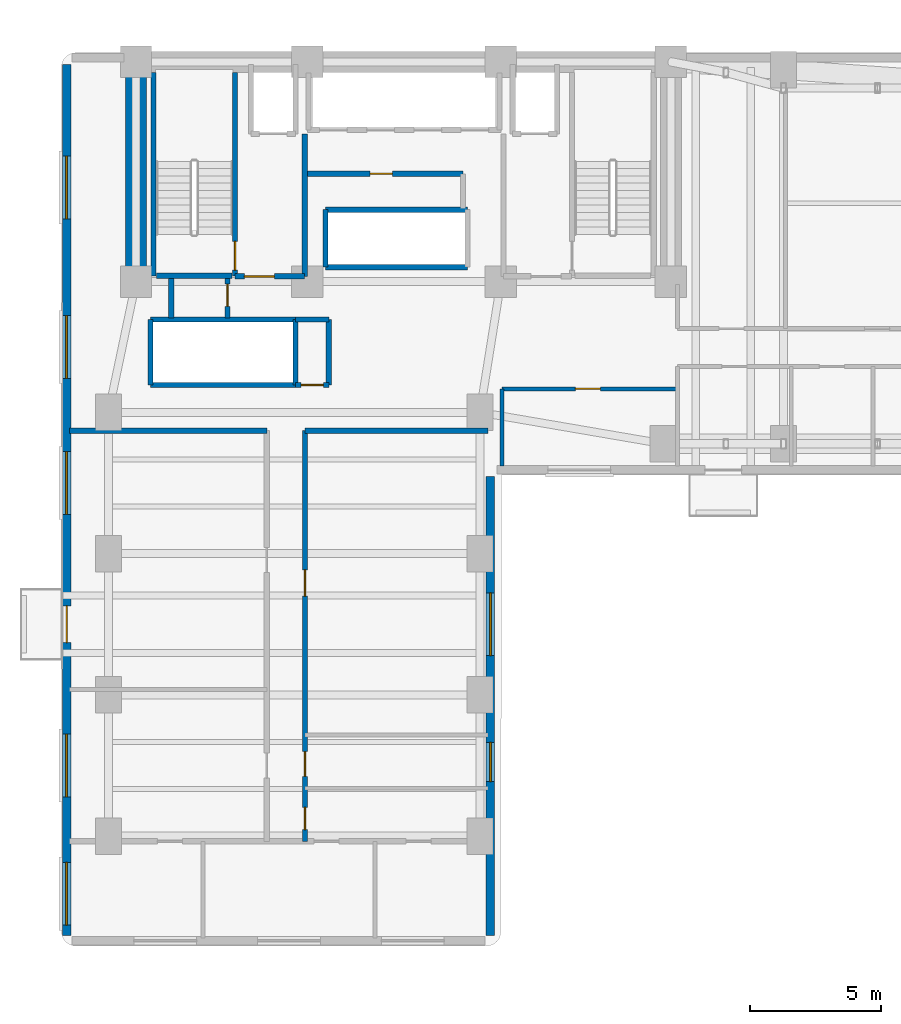
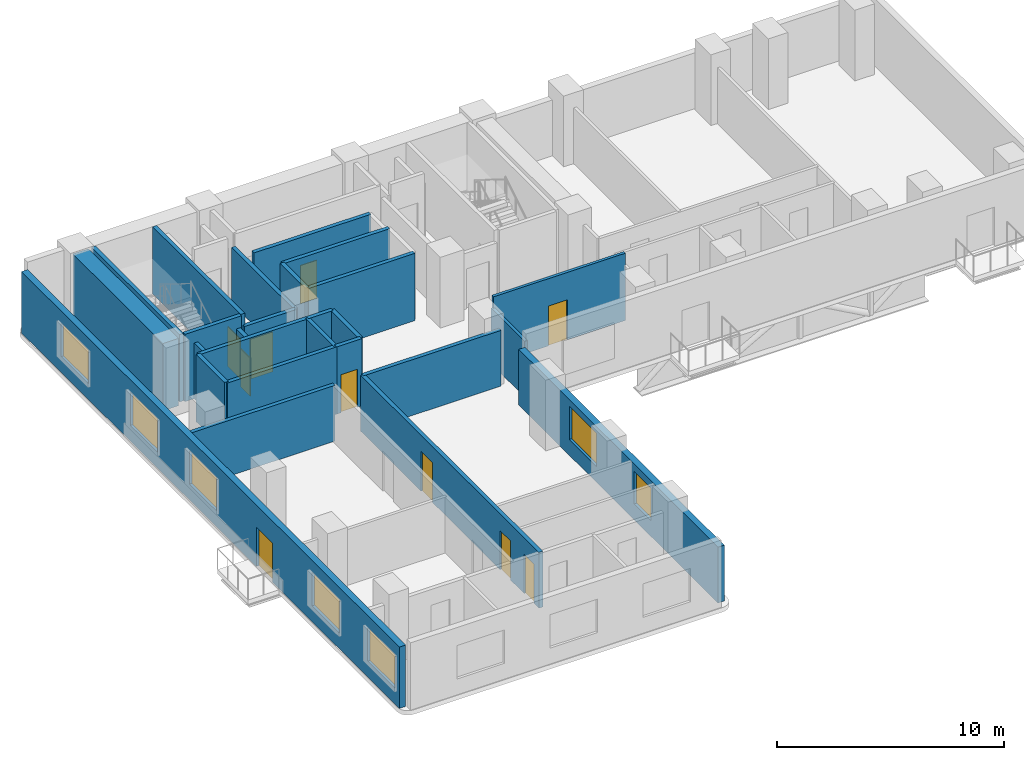
# One storey, part 8 of 15: 26 walls, 10 doors, 7 windows, 17 openings.
"""IFC4 building model written with IfcOpenShell, lengths in metres."""

from ifc_helpers import new_model, si_unit, direction, frame, frame_2d, origin, place, context, subcontext, project, spatial, rectangle, extrude, material, layer, layer_set, type_object, element, fill, save


model = new_model("IFC4")

# Units and contexts
model_context = context("Model", 3, precision=1e-05, world=origin(), true_north=direction((0.0, 1.0)))
body_context = subcontext(model_context, "Body", "Model", "MODEL_VIEW")
ifc_project = project(units=[si_unit("LENGTHUNIT", "METRE"), si_unit("AREAUNIT", "SQUARE_METRE"), si_unit("VOLUMEUNIT", "CUBIC_METRE"), si_unit("PLANEANGLEUNIT", "RADIAN"), si_unit("MASSUNIT", "GRAM", prefix="KILO")], contexts=[model_context])

# Site, building, storey
site_placement = place(None, origin())
site = spatial("IfcSite", under=ifc_project, at=site_placement, CompositionType="ELEMENT")
building_placement = place(site_placement, origin())
building = spatial("IfcBuilding", under=site, at=building_placement, Name="Kuzgunbayir Cultural Tower", CompositionType="ELEMENT")
storey_placement = place(building_placement, frame((0.0, 0.0, 39.800048828125)))
storey = spatial("IfcBuildingStorey", under=building, at=storey_placement, Name="L10", CompositionType="ELEMENT", Elevation=39.800048828125)

# Wall
ifc_material_1 = material(Name="Concrete C60/75", Category="concrete")
ifc_layer_1 = layer(ifc_material_1, 0.800048828125)
ifc_layer_set_1 = layer_set([ifc_layer_1], Name="Concrete C60/75")
wall_type_1 = type_object("IfcWallType", Name="WAL-CORE-800", PredefinedType="SHEAR", material=ifc_layer_set_1)
wall_1_placement = place(storey_placement, frame((6.449951171875, 33.800048828125, 0.0), z_axis=(0.0, 0.0, 1.0), x_axis=(0.0, 1.0, 0.0)))
element("IfcWall", 1, at=wall_1_placement, inside=storey, type_object=wall_type_1, Name="L10 T1 Core West Shear Wall", PredefinedType="SHEAR", context=body_context, shape_type="SweptSolid", body=[
    extrude(rectangle(XDim=7.949951171875, YDim=0.800048828125, at=frame_2d((3.97509765625, 0.0))), origin(), (0.0, 0.0, 1.0), 3.619873046875),
])

# Wall, openings, door, windows
ifc_material_2 = material(Name="Travertine Buff Ashlar", Category="masonry")
ifc_layer_2 = layer(ifc_material_2, 0.320068359375)
ifc_layer_set_2 = layer_set([ifc_layer_2], Name="Travertine Buff Ashlar")
wall_type_2 = type_object("IfcWallType", Name="WAL-EXT-STONE-320", PredefinedType="STANDARD", material=ifc_layer_set_2)
wall_2_placement = place(storey_placement, frame((3.800048828125, 42.10009765625, 0.0), z_axis=(0.0, 0.0, 1.0), x_axis=(0.0, -1.0, 0.0)))
wall_2 = element("IfcWall", 2, at=wall_2_placement, inside=storey, type_object=wall_type_2, Name="L10 Wing A West Limestone Wall", PredefinedType="STANDARD", context=body_context, shape_type="SweptSolid", body=[
    extrude(rectangle(XDim=33.300048828125, YDim=0.320068359375, at=frame_2d((16.64990234375, 0.0))), origin(), (0.0, 0.0, 1.0), 3.300048828125),
])
opening_1_placement = place(wall_2_placement, frame((20.699951171875, 0.0, 0.0)))
opening_1 = element("IfcOpeningElement", 3, at=opening_1_placement, cuts=wall_2, Name="Opening BD-15", PredefinedType="OPENING", context=body_context, shape_type="SweptSolid", body=[
    extrude(rectangle(XDim=1.39990234375, YDim=2.10009765625, at=frame_2d((0.699951171875, 1.050048828125))), frame((0.0, 0.169921875, 0.0), z_axis=(0.0, -1.0, 0.0), x_axis=(1.0, 0.0, 0.0)), (0.0, 0.0, 1.0), 0.340087890625),
])
opening_2_placement = place(wall_2_placement, frame((30.5, 0.0, 0.85009765625)))
opening_2 = element("IfcOpeningElement", 4, at=opening_2_placement, cuts=wall_2, Name="Opening WO-24", PredefinedType="OPENING", context=body_context, shape_type="SweptSolid", body=[
    extrude(rectangle(XDim=2.39990234375, YDim=1.800048828125, at=frame_2d((1.199951171875, 0.89990234375))), frame((0.0, 0.169921875, 0.0), z_axis=(0.0, -1.0, 0.0), x_axis=(1.0, 0.0, 0.0)), (0.0, 0.0, 1.0), 0.340087890625),
])
opening_3_placement = place(wall_2_placement, frame((25.60009765625, 0.0, 0.85009765625)))
opening_3 = element("IfcOpeningElement", 5, at=opening_3_placement, cuts=wall_2, Name="Opening WO-24", PredefinedType="OPENING", context=body_context, shape_type="SweptSolid", body=[
    extrude(rectangle(XDim=2.39990234375, YDim=1.800048828125, at=frame_2d((1.199951171875, 0.89990234375))), frame((0.0, 0.169921875, 0.0), z_axis=(0.0, -1.0, 0.0), x_axis=(1.0, 0.0, 0.0)), (0.0, 0.0, 1.0), 0.340087890625),
])
opening_4_placement = place(wall_2_placement, frame((14.800048828125, 0.0, 0.85009765625)))
opening_4 = element("IfcOpeningElement", 6, at=opening_4_placement, cuts=wall_2, Name="Opening WO-24", PredefinedType="OPENING", context=body_context, shape_type="SweptSolid", body=[
    extrude(rectangle(XDim=2.39990234375, YDim=1.800048828125, at=frame_2d((1.199951171875, 0.89990234375))), frame((0.0, 0.169921875, 0.0), z_axis=(0.0, -1.0, 0.0), x_axis=(1.0, 0.0, 0.0)), (0.0, 0.0, 1.0), 0.340087890625),
])
opening_5_placement = place(wall_2_placement, frame((9.60009765625, 0.0, 0.85009765625)))
opening_5 = element("IfcOpeningElement", 7, at=opening_5_placement, cuts=wall_2, Name="Opening WO-24", PredefinedType="OPENING", context=body_context, shape_type="SweptSolid", body=[
    extrude(rectangle(XDim=2.39990234375, YDim=1.800048828125, at=frame_2d((1.199951171875, 0.89990234375))), frame((0.0, 0.169921875, 0.0), z_axis=(0.0, -1.0, 0.0), x_axis=(1.0, 0.0, 0.0)), (0.0, 0.0, 1.0), 0.340087890625),
])
opening_6_placement = place(wall_2_placement, frame((3.5, 0.0, 0.85009765625)))
opening_6 = element("IfcOpeningElement", 8, at=opening_6_placement, cuts=wall_2, Name="Opening WO-24", PredefinedType="OPENING", context=body_context, shape_type="SweptSolid", body=[
    extrude(rectangle(XDim=2.39990234375, YDim=1.800048828125, at=frame_2d((1.199951171875, 0.89990234375))), frame((0.0, 0.169921875, 0.0), z_axis=(0.0, -1.0, 0.0), x_axis=(1.0, 0.0, 0.0)), (0.0, 0.0, 1.0), 0.340087890625),
])
ifc_material_3 = material(Name="Thermally Broken Glazed Aluminium", Category="aluminium")
door_type_1 = type_object("IfcDoorType", Name="DR-BALCONY-150", OperationType="SLIDING_TO_RIGHT", PredefinedType="DOOR", material=ifc_material_3)
door_1_placement = place(opening_1_placement, origin())
door_1 = element("IfcDoor", 9, at=door_1_placement, inside=storey, type_object=door_type_1, Name="L10 West Balcony Sliding Door BAL-L10-WA2", OperationType="SLIDING_TO_RIGHT", OverallHeight=2.10009765625, OverallWidth=1.39990234375, PredefinedType="DOOR", context=body_context, shape_type="SweptSolid", body=[
    extrude(rectangle(XDim=1.39990234375, YDim=2.10009765625, at=frame_2d((0.699951171875, 1.050048828125))), frame((0.0, 0.02490234375, 0.0), z_axis=(0.0, -1.0, 0.0), x_axis=(1.0, 0.0, 0.0)), (0.0, 0.0, 1.0), 0.050048828125),
])
fill(opening_1, door_1)
ifc_material_4 = material(Name="Solar-Control Triple Glazing", Category="glass")
window_type_1 = type_object("IfcWindowType", Name="WIN-OFFICE-24", PartitioningType="SINGLE_PANEL", PredefinedType="WINDOW", material=ifc_material_4)
window_1_placement = place(opening_2_placement, origin())
window_1 = element("IfcWindow", 10, at=window_1_placement, inside=storey, type_object=window_type_1, Name="L10 WAW Facade Window 2", OverallHeight=1.800048828125, OverallWidth=2.39990234375, PartitioningType="SINGLE_PANEL", PredefinedType="WINDOW", context=body_context, shape_type="SweptSolid", body=[
    extrude(rectangle(XDim=2.39990234375, YDim=1.800048828125, at=frame_2d((1.199951171875, 0.89990234375))), frame((0.0, 0.030029296875, 0.0), z_axis=(0.0, -1.0, 0.0), x_axis=(1.0, 0.0, 0.0)), (0.0, 0.0, 1.0), 0.06005859375),
])
fill(opening_2, window_1)
window_2_placement = place(opening_3_placement, origin())
window_2 = element("IfcWindow", 11, at=window_2_placement, inside=storey, type_object=window_type_1, Name="L10 WAW Facade Window 3", OverallHeight=1.800048828125, OverallWidth=2.39990234375, PartitioningType="SINGLE_PANEL", PredefinedType="WINDOW", context=body_context, shape_type="SweptSolid", body=[
    extrude(rectangle(XDim=2.39990234375, YDim=1.800048828125, at=frame_2d((1.199951171875, 0.89990234375))), frame((0.0, 0.030029296875, 0.0), z_axis=(0.0, -1.0, 0.0), x_axis=(1.0, 0.0, 0.0)), (0.0, 0.0, 1.0), 0.06005859375),
])
fill(opening_3, window_2)
window_3_placement = place(opening_4_placement, origin())
window_3 = element("IfcWindow", 12, at=window_3_placement, inside=storey, type_object=window_type_1, Name="L10 WAW Facade Window 4", OverallHeight=1.800048828125, OverallWidth=2.39990234375, PartitioningType="SINGLE_PANEL", PredefinedType="WINDOW", context=body_context, shape_type="SweptSolid", body=[
    extrude(rectangle(XDim=2.39990234375, YDim=1.800048828125, at=frame_2d((1.199951171875, 0.89990234375))), frame((0.0, 0.030029296875, 0.0), z_axis=(0.0, -1.0, 0.0), x_axis=(1.0, 0.0, 0.0)), (0.0, 0.0, 1.0), 0.06005859375),
])
fill(opening_4, window_3)
window_4_placement = place(opening_5_placement, origin())
window_4 = element("IfcWindow", 13, at=window_4_placement, inside=storey, type_object=window_type_1, Name="L10 WAW Facade Window 5", OverallHeight=1.800048828125, OverallWidth=2.39990234375, PartitioningType="SINGLE_PANEL", PredefinedType="WINDOW", context=body_context, shape_type="SweptSolid", body=[
    extrude(rectangle(XDim=2.39990234375, YDim=1.800048828125, at=frame_2d((1.199951171875, 0.89990234375))), frame((0.0, 0.030029296875, 0.0), z_axis=(0.0, -1.0, 0.0), x_axis=(1.0, 0.0, 0.0)), (0.0, 0.0, 1.0), 0.06005859375),
])
fill(opening_5, window_4)
window_5_placement = place(opening_6_placement, origin())
window_5 = element("IfcWindow", 14, at=window_5_placement, inside=storey, type_object=window_type_1, Name="L10 WAW Facade Window 6", OverallHeight=1.800048828125, OverallWidth=2.39990234375, PartitioningType="SINGLE_PANEL", PredefinedType="WINDOW", context=body_context, shape_type="SweptSolid", body=[
    extrude(rectangle(XDim=2.39990234375, YDim=1.800048828125, at=frame_2d((1.199951171875, 0.89990234375))), frame((0.0, 0.030029296875, 0.0), z_axis=(0.0, -1.0, 0.0), x_axis=(1.0, 0.0, 0.0)), (0.0, 0.0, 1.0), 0.06005859375),
])
fill(opening_6, window_5)

# Wall, openings, windows
wall_3_placement = place(storey_placement, frame((20.0, 8.800048828125, 0.0), z_axis=(0.0, 0.0, 1.0), x_axis=(0.0, 1.0, 0.0)))
wall_3 = element("IfcWall", 15, at=wall_3_placement, inside=storey, type_object=wall_type_2, Name="L10 Wing A East Limestone Wall", PredefinedType="STANDARD", context=body_context, shape_type="SweptSolid", body=[
    extrude(rectangle(XDim=17.550048828125, YDim=0.320068359375, at=frame_2d((8.77490234375, 0.0))), origin(), (0.0, 0.0, 1.0), 3.0),
])
opening_7_placement = place(wall_3_placement, frame((5.8798828125, 0.0, 0.85009765625)))
opening_7 = element("IfcOpeningElement", 16, at=opening_7_placement, cuts=wall_3, Name="Opening WR-15", PredefinedType="OPENING", context=body_context, shape_type="SweptSolid", body=[
    extrude(rectangle(XDim=1.5, YDim=1.75, at=frame_2d((0.75, 0.875))), frame((0.0, 0.169921875, 0.0), z_axis=(0.0, -1.0, 0.0), x_axis=(1.0, 0.0, 0.0)), (0.0, 0.0, 1.0), 0.340087890625),
])
opening_8_placement = place(wall_3_placement, frame((10.699951171875, 0.0, 0.85009765625)))
opening_8 = element("IfcOpeningElement", 17, at=opening_8_placement, cuts=wall_3, Name="Opening WO-24", PredefinedType="OPENING", context=body_context, shape_type="SweptSolid", body=[
    extrude(rectangle(XDim=2.39990234375, YDim=1.800048828125, at=frame_2d((1.199951171875, 0.89990234375))), frame((0.0, 0.169921875, 0.0), z_axis=(0.0, -1.0, 0.0), x_axis=(1.0, 0.0, 0.0)), (0.0, 0.0, 1.0), 0.340087890625),
])
window_6_placement = place(opening_8_placement, origin())
window_6 = element("IfcWindow", 18, at=window_6_placement, inside=storey, type_object=window_type_1, Name="L10 WAE Facade Window 8", OverallHeight=1.800048828125, OverallWidth=2.39990234375, PartitioningType="SINGLE_PANEL", PredefinedType="WINDOW", context=body_context, shape_type="SweptSolid", body=[
    extrude(rectangle(XDim=2.39990234375, YDim=1.800048828125, at=frame_2d((1.199951171875, 0.89990234375))), frame((0.0, 0.030029296875, 0.0), z_axis=(0.0, -1.0, 0.0), x_axis=(1.0, 0.0, 0.0)), (0.0, 0.0, 1.0), 0.06005859375),
])
fill(opening_8, window_6)
window_type_2 = type_object("IfcWindowType", Name="WIN-RESID-15", PartitioningType="SINGLE_PANEL", PredefinedType="WINDOW", material=ifc_material_4)
window_7_placement = place(opening_7_placement, origin())
window_7 = element("IfcWindow", 19, at=window_7_placement, inside=storey, type_object=window_type_2, Name="L10 WAE Facade Window 7", OverallHeight=1.75, OverallWidth=1.5, PartitioningType="SINGLE_PANEL", PredefinedType="WINDOW", context=body_context, shape_type="SweptSolid", body=[
    extrude(rectangle(XDim=1.5, YDim=1.75, at=frame_2d((0.75, 0.875))), frame((0.0, 0.030029296875, 0.0), z_axis=(0.0, -1.0, 0.0), x_axis=(1.0, 0.0, 0.0)), (0.0, 0.0, 1.0), 0.06005859375),
])
fill(opening_7, window_7)

# Wall, opening, door
ifc_material_5 = material(Name="Acoustic Double-Stud Drywall", Category="gypsum")
ifc_layer_3 = layer(ifc_material_5, 0.14990234375)
ifc_layer_set_3 = layer_set([ifc_layer_3], Name="Acoustic Double-Stud Drywall")
wall_type_3 = type_object("IfcWallType", Name="WAL-PART-ACOUSTIC-150", PredefinedType="PARTITIONING", material=ifc_layer_set_3)
wall_4_placement = place(storey_placement, frame((20.449951171875, 29.699951171875, 0.0), z_axis=(0.0, 0.0, 1.0), x_axis=(1.0, 0.0, 0.0)))
wall_4 = element("IfcWall", 20, at=wall_4_placement, inside=storey, type_object=wall_type_3, Name="L10 Waist Alcove North Wall", PredefinedType="PARTITIONING", context=body_context, shape_type="SweptSolid", body=[
    extrude(rectangle(XDim=6.699951171875, YDim=0.14990234375, at=frame_2d((3.35009765625, 0.0))), origin(), (0.0, 0.0, 1.0), 3.619873046875),
])
opening_9_placement = place(wall_4_placement, frame((2.800048828125, 0.0, 0.0)))
opening_9 = element("IfcOpeningElement", 21, at=opening_9_placement, cuts=wall_4, Name="Opening DI-90", PredefinedType="OPENING", context=body_context, shape_type="SweptSolid", body=[
    extrude(rectangle(XDim=0.949951171875, YDim=2.14990234375, at=frame_2d((0.47509765625, 1.074951171875))), frame((0.0, 0.0849609375, 0.0), z_axis=(0.0, -1.0, 0.0), x_axis=(1.0, 0.0, 0.0)), (0.0, 0.0, 1.0), 0.169921875),
])
ifc_material_6 = material(Name="Veneered Oak Single Leaf", Category="wood")
door_type_2 = type_object("IfcDoorType", Name="DR-INT-90", OperationType="NOTDEFINED", PredefinedType="DOOR", material=ifc_material_6)
door_2_placement = place(opening_9_placement, origin())
door_2 = element("IfcDoor", 22, at=door_2_placement, inside=storey, type_object=door_type_2, Name="L10 Waist Alcove Door", OperationType="SINGLE_SWING_LEFT", OverallHeight=2.14990234375, OverallWidth=0.949951171875, PredefinedType="DOOR", context=body_context, shape_type="SweptSolid", body=[
    extrude(rectangle(XDim=0.949951171875, YDim=2.14990234375, at=frame_2d((0.47509765625, 1.074951171875))), frame((0.0, 0.02490234375, 0.0), z_axis=(0.0, -1.0, 0.0), x_axis=(1.0, 0.0, 0.0)), (0.0, 0.0, 1.0), 0.050048828125),
])
fill(opening_9, door_2)

# Walls
wall_5_placement = place(storey_placement, frame((20.449951171875, 26.75, 0.0), z_axis=(0.0, 0.0, 1.0), x_axis=(0.0, 1.0, 0.0)))
element("IfcWall", 23, at=wall_5_placement, inside=storey, type_object=wall_type_3, Name="L10 Waist Alcove West Wall", PredefinedType="PARTITIONING", context=body_context, shape_type="SweptSolid", body=[
    extrude(rectangle(XDim=2.949951171875, YDim=0.14990234375, at=frame_2d((1.47509765625, 0.0))), origin(), (0.0, 0.0, 1.0), 3.0),
])
ifc_material_7 = material(Name="Aerated Concrete Blockwork", Category="masonry")
ifc_layer_4 = layer(ifc_material_7, 0.199951171875)
ifc_layer_set_4 = layer_set([ifc_layer_4], Name="Aerated Concrete Blockwork")
wall_type_4 = type_object("IfcWallType", Name="WAL-PART-FIRE-200", PredefinedType="PARTITIONING", material=ifc_layer_set_4)
wall_6_placement = place(storey_placement, frame((12.89990234375, 34.0, 0.0), z_axis=(0.0, 0.0, 1.0), x_axis=(0.0, 1.0, 0.0)))
element("IfcWall", 24, at=wall_6_placement, inside=storey, type_object=wall_type_4, Name="L10 FFL-1 Lobby East Fire Wall", PredefinedType="PARTITIONING", context=body_context, shape_type="SweptSolid", body=[
    extrude(rectangle(XDim=5.449951171875, YDim=0.199951171875, at=frame_2d((2.72509765625, 0.0))), origin(), (0.0, 0.0, 1.0), 3.0),
])

# Wall, opening, door
wall_7_placement = place(storey_placement, frame((10.239990234375, 34.0, 0.0), z_axis=(0.0, 0.0, 1.0), x_axis=(1.0, 0.0, 0.0)))
wall_7 = element("IfcWall", 25, at=wall_7_placement, inside=storey, type_object=wall_type_4, Name="L10 FFL-1 Lobby South Fire Wall", PredefinedType="PARTITIONING", context=body_context, shape_type="SweptSolid", body=[
    extrude(rectangle(XDim=2.659912109375, YDim=0.199951171875, at=frame_2d((1.330078125, 0.0))), origin(), (0.0, 0.0, 1.0), 3.0),
])
opening_10_placement = place(wall_7_placement, frame((0.35009765625, 0.0, 0.0)))
opening_10 = element("IfcOpeningElement", 26, at=opening_10_placement, cuts=wall_7, Name="Opening DR-FFL-90", PredefinedType="OPENING", context=body_context, shape_type="SweptSolid", body=[
    extrude(rectangle(XDim=1.14990234375, YDim=2.14990234375, at=frame_2d((0.574951171875, 1.074951171875))), frame((0.0, 0.10986328125, 0.0), z_axis=(0.0, -1.0, 0.0), x_axis=(1.0, 0.0, 0.0)), (0.0, 0.0, 1.0), 0.219970703125),
])
ifc_material_8 = material(Name="Steel S355J2", Category="steel")
door_type_3 = type_object("IfcDoorType", Name="DR-FFL-90", OperationType="NOTDEFINED", PredefinedType="DOOR", material=ifc_material_8)
door_3_placement = place(opening_10_placement, origin())
door_3 = element("IfcDoor", 27, at=door_3_placement, inside=storey, type_object=door_type_3, Name="L10 Firefighting Lobby 1 Door", OperationType="SINGLE_SWING_LEFT", OverallHeight=2.14990234375, OverallWidth=1.14990234375, PredefinedType="DOOR", context=body_context, shape_type="SweptSolid", body=[
    extrude(rectangle(XDim=1.14990234375, YDim=2.14990234375, at=frame_2d((0.574951171875, 1.074951171875))), frame((0.0, 0.02490234375, 0.0), z_axis=(0.0, -1.0, 0.0), x_axis=(1.0, 0.0, 0.0)), (0.0, 0.0, 1.0), 0.050048828125),
])
fill(opening_10, door_3)

wall_8_placement = place(storey_placement, frame((12.550048828125, 29.85009765625, 0.0), z_axis=(0.0, 0.0, 1.0), x_axis=(1.0, 0.0, 0.0)))
wall_8 = element("IfcWall", 28, at=wall_8_placement, inside=storey, type_object=wall_type_4, Name="L10 Center Core Switchgear South Wall", PredefinedType="PARTITIONING", context=body_context, shape_type="SweptSolid", body=[
    extrude(rectangle(XDim=1.27001953125, YDim=0.199951171875, at=frame_2d((0.635009765625, 0.0))), origin(), (0.0, 0.0, 1.0), 3.619873046875),
])
opening_11_placement = place(wall_8_placement, frame((0.2099609375, 0.0, 0.0)))
opening_11 = element("IfcOpeningElement", 29, at=opening_11_placement, cuts=wall_8, Name="Opening DR-RSR-60", PredefinedType="OPENING", context=body_context, shape_type="SweptSolid", body=[
    extrude(rectangle(XDim=0.85009765625, YDim=2.050048828125, at=frame_2d((0.425048828125, 1.02490234375))), frame((0.0, 0.10986328125, 0.0), z_axis=(0.0, -1.0, 0.0), x_axis=(1.0, 0.0, 0.0)), (0.0, 0.0, 1.0), 0.219970703125),
])
ifc_material_9 = material(Name="Steel Access Leaf", Category="steel")
door_type_4 = type_object("IfcDoorType", Name="DR-RISER-60", OperationType="NOTDEFINED", PredefinedType="DOOR", material=ifc_material_9)
door_4_placement = place(opening_11_placement, origin())
door_4 = element("IfcDoor", 30, at=door_4_placement, inside=storey, type_object=door_type_4, Name="L10 Electrical Switchgear Closet Door", OperationType="SINGLE_SWING_LEFT", OverallHeight=2.050048828125, OverallWidth=0.85009765625, PredefinedType="DOOR", context=body_context, shape_type="SweptSolid", body=[
    extrude(rectangle(XDim=0.85009765625, YDim=2.050048828125, at=frame_2d((0.425048828125, 1.02490234375))), frame((0.0, 0.02490234375, 0.0), z_axis=(0.0, -1.0, 0.0), x_axis=(1.0, 0.0, 0.0)), (0.0, 0.0, 1.0), 0.050048828125),
])
fill(opening_11, door_4)

# Walls
wall_9_placement = place(storey_placement, frame((13.820068359375, 29.85009765625, 0.0), z_axis=(0.0, 0.0, 1.0), x_axis=(0.0, 1.0, 0.0)))
element("IfcWall", 31, at=wall_9_placement, inside=storey, type_object=wall_type_4, Name="L10 Center Core Switchgear East Wall", PredefinedType="PARTITIONING", context=body_context, shape_type="SweptSolid", body=[
    extrude(rectangle(XDim=2.5, YDim=0.199951171875, at=frame_2d((1.25, 0.0))), origin(), (0.0, 0.0, 1.0), 3.619873046875),
])
wall_10_placement = place(storey_placement, frame((12.550048828125, 32.35009765625, 0.0), z_axis=(0.0, 0.0, 1.0), x_axis=(1.0, 0.0, 0.0)))
element("IfcWall", 32, at=wall_10_placement, inside=storey, type_object=wall_type_4, Name="L10 Center Core Switchgear North Wall", PredefinedType="PARTITIONING", context=body_context, shape_type="SweptSolid", body=[
    extrude(rectangle(XDim=1.27001953125, YDim=0.199951171875, at=frame_2d((0.635009765625, 0.0))), origin(), (0.0, 0.0, 1.0), 3.619873046875),
])
wall_11_placement = place(storey_placement, frame((7.800048828125, 32.39990234375, 0.0), z_axis=(0.0, 0.0, 1.0), x_axis=(0.0, 1.0, 0.0)))
element("IfcWall", 33, at=wall_11_placement, inside=storey, type_object=wall_type_4, Name="L10 West Core Electrical Closet West Wall", PredefinedType="PARTITIONING", context=body_context, shape_type="SweptSolid", body=[
    extrude(rectangle(XDim=1.52001953125, YDim=0.199951171875, at=frame_2d((0.760009765625, 0.0))), origin(), (0.0, 0.0, 1.0), 3.0),
])

# Wall, opening, door
wall_12_placement = place(storey_placement, frame((9.949951171875, 32.39990234375, 0.0), z_axis=(0.0, 0.0, 1.0), x_axis=(0.0, 1.0, 0.0)))
wall_12 = element("IfcWall", 34, at=wall_12_placement, inside=storey, type_object=wall_type_4, Name="L10 West Core Electrical Closet East Wall", PredefinedType="PARTITIONING", context=body_context, shape_type="SweptSolid", body=[
    extrude(rectangle(XDim=1.52001953125, YDim=0.199951171875, at=frame_2d((0.760009765625, 0.0))), origin(), (0.0, 0.0, 1.0), 3.0),
])
opening_12_placement = place(wall_12_placement, frame((0.449951171875, 0.0, 0.0)))
opening_12 = element("IfcOpeningElement", 35, at=opening_12_placement, cuts=wall_12, Name="Opening DR-RSR-60", PredefinedType="OPENING", context=body_context, shape_type="SweptSolid", body=[
    extrude(rectangle(XDim=0.85009765625, YDim=2.050048828125, at=frame_2d((0.425048828125, 1.02490234375))), frame((0.0, 0.10986328125, 0.0), z_axis=(0.0, -1.0, 0.0), x_axis=(1.0, 0.0, 0.0)), (0.0, 0.0, 1.0), 0.219970703125),
])
door_5_placement = place(opening_12_placement, origin())
door_5 = element("IfcDoor", 36, at=door_5_placement, inside=storey, type_object=door_type_4, Name="L10 West Core Switchgear Closet Door", OperationType="SINGLE_SWING_RIGHT", OverallHeight=2.050048828125, OverallWidth=0.85009765625, PredefinedType="DOOR", context=body_context, shape_type="SweptSolid", body=[
    extrude(rectangle(XDim=0.85009765625, YDim=2.050048828125, at=frame_2d((0.425048828125, 1.02490234375))), frame((0.0, 0.02490234375, 0.0), z_axis=(0.0, -1.0, 0.0), x_axis=(1.0, 0.0, 0.0)), (0.0, 0.0, 1.0), 0.050048828125),
])
fill(opening_12, door_5)

wall_13_placement = place(storey_placement, frame((13.0, 37.919921875, 0.0), z_axis=(0.0, 0.0, 1.0), x_axis=(1.0, 0.0, 0.0)))
wall_13 = element("IfcWall", 37, at=wall_13_placement, inside=storey, type_object=wall_type_4, Name="L10 Core Comms North Wall", PredefinedType="PARTITIONING", context=body_context, shape_type="SweptSolid", body=[
    extrude(rectangle(XDim=5.949951171875, YDim=0.199951171875, at=frame_2d((2.97509765625, 0.0))), origin(), (0.0, 0.0, 1.0), 3.619873046875),
])
opening_13_placement = place(wall_13_placement, frame((2.39990234375, 0.0, 0.0)))
opening_13 = element("IfcOpeningElement", 38, at=opening_13_placement, cuts=wall_13, Name="Opening DR-RSR-60", PredefinedType="OPENING", context=body_context, shape_type="SweptSolid", body=[
    extrude(rectangle(XDim=0.85009765625, YDim=2.050048828125, at=frame_2d((0.425048828125, 1.02490234375))), frame((0.0, 0.10986328125, 0.0), z_axis=(0.0, -1.0, 0.0), x_axis=(1.0, 0.0, 0.0)), (0.0, 0.0, 1.0), 0.219970703125),
])
door_6_placement = place(opening_13_placement, origin())
door_6 = element("IfcDoor", 39, at=door_6_placement, inside=storey, type_object=door_type_4, Name="L10 Core Telecom Switchroom Door", OperationType="SINGLE_SWING_LEFT", OverallHeight=2.050048828125, OverallWidth=0.85009765625, PredefinedType="DOOR", context=body_context, shape_type="SweptSolid", body=[
    extrude(rectangle(XDim=0.85009765625, YDim=2.050048828125, at=frame_2d((0.425048828125, 1.02490234375))), frame((0.0, 0.02490234375, 0.0), z_axis=(0.0, -1.0, 0.0), x_axis=(1.0, 0.0, 0.0)), (0.0, 0.0, 1.0), 0.050048828125),
])
fill(opening_13, door_6)

# Wall, openings, doors
wall_14_placement = place(storey_placement, frame((12.909912109375, 12.39990234375, 0.0), z_axis=(0.0, 0.0, 1.0), x_axis=(0.0, 1.0, 0.0)))
wall_14 = element("IfcWall", 40, at=wall_14_placement, inside=storey, type_object=wall_type_4, Name="L10 Wing A East Corridor Wall", PredefinedType="PARTITIONING", context=body_context, shape_type="SweptSolid", body=[
    extrude(rectangle(XDim=15.7001953125, YDim=0.199951171875, at=frame_2d((7.85009765625, 0.0))), origin(), (0.0, 0.0, 1.0), 3.0),
])
opening_14_placement = place(wall_14_placement, frame((0.449951171875, 0.0, 0.0)))
opening_14 = element("IfcOpeningElement", 41, at=opening_14_placement, cuts=wall_14, Name="Opening DW-85", PredefinedType="OPENING", context=body_context, shape_type="SweptSolid", body=[
    extrude(rectangle(XDim=0.85009765625, YDim=2.10009765625, at=frame_2d((0.425048828125, 1.050048828125))), frame((0.0, 0.10986328125, 0.0), z_axis=(0.0, -1.0, 0.0), x_axis=(1.0, 0.0, 0.0)), (0.0, 0.0, 1.0), 0.219970703125),
])
opening_15_placement = place(wall_14_placement, frame((2.47998046875, 0.0, 0.0)))
opening_15 = element("IfcOpeningElement", 42, at=opening_15_placement, cuts=wall_14, Name="Opening DW-95", PredefinedType="OPENING", context=body_context, shape_type="SweptSolid", body=[
    extrude(rectangle(XDim=0.949951171875, YDim=2.10009765625, at=frame_2d((0.47509765625, 1.050048828125))), frame((0.0, 0.10986328125, 0.0), z_axis=(0.0, -1.0, 0.0), x_axis=(1.0, 0.0, 0.0)), (0.0, 0.0, 1.0), 0.219970703125),
])
opening_16_placement = place(wall_14_placement, frame((9.3798828125, 0.0, 0.0)))
opening_16 = element("IfcOpeningElement", 43, at=opening_16_placement, cuts=wall_14, Name="Opening DI-100", PredefinedType="OPENING", context=body_context, shape_type="SweptSolid", body=[
    extrude(rectangle(XDim=1.0, YDim=2.14990234375, at=frame_2d((0.5, 1.074951171875))), frame((0.0, 0.10986328125, 0.0), z_axis=(0.0, -1.0, 0.0), x_axis=(1.0, 0.0, 0.0)), (0.0, 0.0, 1.0), 0.219970703125),
])
door_type_5 = type_object("IfcDoorType", Name="DR-INT-100", OperationType="NOTDEFINED", PredefinedType="DOOR", material=ifc_material_6)
door_7_placement = place(opening_16_placement, origin())
door_7 = element("IfcDoor", 44, at=door_7_placement, inside=storey, type_object=door_type_5, Name="L10 East Fellows Reading Lounge 1 Door", OperationType="SINGLE_SWING_LEFT", OverallHeight=2.14990234375, OverallWidth=1.0, PredefinedType="DOOR", context=body_context, shape_type="SweptSolid", body=[
    extrude(rectangle(XDim=1.0, YDim=2.14990234375, at=frame_2d((0.5, 1.074951171875))), frame((0.0, 0.02490234375, 0.0), z_axis=(0.0, -1.0, 0.0), x_axis=(1.0, 0.0, 0.0)), (0.0, 0.0, 1.0), 0.050048828125),
])
fill(opening_16, door_7)
ifc_material_10 = material(Name="Laminate Moisture-Resistant Leaf", Category="wood")
door_type_6 = type_object("IfcDoorType", Name="DR-WET-85", OperationType="NOTDEFINED", PredefinedType="DOOR", material=ifc_material_10)
door_8_placement = place(opening_14_placement, origin())
door_8 = element("IfcDoor", 45, at=door_8_placement, inside=storey, type_object=door_type_6, Name="L10 Restroom Door", OperationType="SINGLE_SWING_LEFT", OverallHeight=2.10009765625, OverallWidth=0.85009765625, PredefinedType="DOOR", context=body_context, shape_type="SweptSolid", body=[
    extrude(rectangle(XDim=0.85009765625, YDim=2.10009765625, at=frame_2d((0.425048828125, 1.050048828125))), frame((0.0, 0.02490234375, 0.0), z_axis=(0.0, -1.0, 0.0), x_axis=(1.0, 0.0, 0.0)), (0.0, 0.0, 1.0), 0.050048828125),
])
fill(opening_14, door_8)
door_type_7 = type_object("IfcDoorType", Name="DR-WET-95", OperationType="NOTDEFINED", PredefinedType="DOOR", material=ifc_material_10)
door_9_placement = place(opening_15_placement, origin())
door_9 = element("IfcDoor", 46, at=door_9_placement, inside=storey, type_object=door_type_7, Name="L10 Accessible WC Door", OperationType="SINGLE_SWING_RIGHT", OverallHeight=2.10009765625, OverallWidth=0.949951171875, PredefinedType="DOOR", context=body_context, shape_type="SweptSolid", body=[
    extrude(rectangle(XDim=0.949951171875, YDim=2.10009765625, at=frame_2d((0.47509765625, 1.050048828125))), frame((0.0, 0.02490234375, 0.0), z_axis=(0.0, -1.0, 0.0), x_axis=(1.0, 0.0, 0.0)), (0.0, 0.0, 1.0), 0.050048828125),
])
fill(opening_15, door_9)

# Walls
wall_15_placement = place(storey_placement, frame((3.89990234375, 28.10009765625, 0.0), z_axis=(0.0, 0.0, 1.0), x_axis=(1.0, 0.0, 0.0)))
element("IfcWall", 47, at=wall_15_placement, inside=storey, type_object=wall_type_4, Name="L10 North West Partition", PredefinedType="PARTITIONING", context=body_context, shape_type="SweptSolid", body=[
    extrude(rectangle(XDim=7.550048828125, YDim=0.199951171875, at=frame_2d((3.77490234375, 0.0))), origin(), (0.0, 0.0, 1.0), 3.0),
])
wall_16_placement = place(storey_placement, frame((12.909912109375, 28.10009765625, 0.0), z_axis=(0.0, 0.0, 1.0), x_axis=(1.0, 0.0, 0.0)))
element("IfcWall", 48, at=wall_16_placement, inside=storey, type_object=wall_type_4, Name="L10 North East Partition", PredefinedType="PARTITIONING", context=body_context, shape_type="SweptSolid", body=[
    extrude(rectangle(XDim=6.989990234375, YDim=0.199951171875, at=frame_2d((3.4951171875, 0.0))), origin(), (0.0, 0.0, 1.0), 3.0),
])
ifc_material_11 = material(Name="Concrete C40/50", Category="concrete")
ifc_layer_5 = layer(ifc_material_11, 0.199951171875)
ifc_layer_set_5 = layer_set([ifc_layer_5], Name="Concrete C40/50")
wall_type_5 = type_object("IfcWallType", Name="WAL-SHAFT-200", PredefinedType="MOVABLE", material=ifc_layer_set_5)
for number, where, z_axis, x_axis, name in (
    (49, (7.0, 29.85009765625, 0.0), (0.0, 0.0, 1.0), (1.0, 0.0, 0.0), "L10 High-Rise Lift Shaft South Wall"),
    (50, (7.0, 32.35009765625, 0.0), (0.0, 0.0, 1.0), (1.0, 0.0, 0.0), "L10 High-Rise Lift Shaft North Wall"),
):
    element("IfcWall", number, at=place(storey_placement, frame(where, z_axis=z_axis, x_axis=x_axis)), inside=storey, type_object=wall_type_5, Name=name, PredefinedType="MOVABLE", context=body_context, shape_type="SweptSolid", body=[
        extrude(rectangle(XDim=5.550048828125, YDim=0.199951171875, at=frame_2d((2.77490234375, 0.0))), origin(), (0.0, 0.0, 1.0), 3.619873046875),
    ])
for number, where, z_axis, x_axis, name in (
    (51, (7.0, 29.85009765625, 0.0), (0.0, 0.0, 1.0), (0.0, 1.0, 0.0), "L10 High-Rise Lift Shaft West Wall"),
    (52, (12.550048828125, 29.85009765625, 0.0), (0.0, 0.0, 1.0), (0.0, 1.0, 0.0), "L10 High-Rise Lift Shaft East Wall"),
):
    element("IfcWall", number, at=place(storey_placement, frame(where, z_axis=z_axis, x_axis=x_axis)), inside=storey, type_object=wall_type_5, Name=name, PredefinedType="MOVABLE", context=body_context, shape_type="SweptSolid", body=[
        extrude(rectangle(XDim=2.5, YDim=0.199951171875, at=frame_2d((1.25, 0.0))), origin(), (0.0, 0.0, 1.0), 3.619873046875),
    ])
for number, where, z_axis, x_axis, name in (
    (53, (13.699951171875, 34.35009765625, 0.0), (0.0, 0.0, 1.0), (1.0, 0.0, 0.0), "L10 Mid-Rise Lift Front Wall"),
    (54, (13.699951171875, 36.550048828125, 0.0), (0.0, 0.0, 1.0), (1.0, 0.0, 0.0), "L10 Mid-Rise Lift Shaft North Wall"),
):
    element("IfcWall", number, at=place(storey_placement, frame(where, z_axis=z_axis, x_axis=x_axis)), inside=storey, type_object=wall_type_5, Name=name, PredefinedType="MOVABLE", context=body_context, shape_type="SweptSolid", body=[
        extrude(rectangle(XDim=5.420166015625, YDim=0.199951171875, at=frame_2d((2.7099609375, 0.0))), origin(), (0.0, 0.0, 1.0), 3.619873046875),
    ])
wall_17_placement = place(storey_placement, frame((13.699951171875, 34.35009765625, 0.0), z_axis=(0.0, 0.0, 1.0), x_axis=(0.0, 1.0, 0.0)))
element("IfcWall", 55, at=wall_17_placement, inside=storey, type_object=wall_type_5, Name="L10 Mid-Rise Lift Shaft West Wall", PredefinedType="MOVABLE", context=body_context, shape_type="SweptSolid", body=[
    extrude(rectangle(XDim=2.199951171875, YDim=0.199951171875, at=frame_2d((1.10009765625, 0.0))), origin(), (0.0, 0.0, 1.0), 3.619873046875),
])
ifc_layer_6 = layer(ifc_material_11, 0.199951171875)
ifc_layer_set_6 = layer_set([ifc_layer_6], Name="Concrete C40/50")
wall_type_6 = type_object("IfcWallType", Name="WAL-STAIR-RC-200", PredefinedType="SHEAR", material=ifc_layer_set_6)
wall_18_placement = place(storey_placement, frame((7.1201171875, 34.02001953125, 0.0), z_axis=(0.0, 0.0, 1.0), x_axis=(0.0, 1.0, 0.0)))
element("IfcWall", 56, at=wall_18_placement, inside=storey, type_object=wall_type_6, Name="L10 Stair ST-1 West Structural Wall", PredefinedType="SHEAR", context=body_context, shape_type="SweptSolid", body=[
    extrude(rectangle(XDim=7.780029296875, YDim=0.199951171875, at=frame_2d((3.89013671875, 0.0))), origin(), (0.0, 0.0, 1.0), 3.619873046875),
])

# Wall, opening, door
wall_19_placement = place(storey_placement, frame((10.239990234375, 34.02001953125, 0.0), z_axis=(0.0, 0.0, 1.0), x_axis=(0.0, 1.0, 0.0)))
wall_19 = element("IfcWall", 57, at=wall_19_placement, inside=storey, type_object=wall_type_6, Name="L10 Stair ST-1 East Structural Wall", PredefinedType="SHEAR", context=body_context, shape_type="SweptSolid", body=[
    extrude(rectangle(XDim=7.780029296875, YDim=0.199951171875, at=frame_2d((3.89013671875, 0.0))), origin(), (0.0, 0.0, 1.0), 3.619873046875),
])
opening_17_placement = place(wall_19_placement, frame((0.219970703125, 0.0, 0.0)))
opening_17 = element("IfcOpeningElement", 58, at=opening_17_placement, cuts=wall_19, Name="Opening DR-STAIR-90", PredefinedType="OPENING", context=body_context, shape_type="SweptSolid", body=[
    extrude(rectangle(XDim=1.10009765625, YDim=2.14990234375, at=frame_2d((0.550048828125, 1.074951171875))), frame((0.0, 0.10986328125, 0.0), z_axis=(0.0, -1.0, 0.0), x_axis=(1.0, 0.0, 0.0)), (0.0, 0.0, 1.0), 0.219970703125),
])
door_type_8 = type_object("IfcDoorType", Name="DR-STAIR-90", OperationType="NOTDEFINED", PredefinedType="DOOR", material=ifc_material_8)
door_10_placement = place(opening_17_placement, origin())
door_10 = element("IfcDoor", 59, at=door_10_placement, inside=storey, type_object=door_type_8, Name="L10 Stair ST-1 Fire Door", OperationType="SINGLE_SWING_RIGHT", OverallHeight=2.14990234375, OverallWidth=1.10009765625, PredefinedType="DOOR", context=body_context, shape_type="SweptSolid", body=[
    extrude(rectangle(XDim=1.10009765625, YDim=2.14990234375, at=frame_2d((0.550048828125, 1.074951171875))), frame((0.0, 0.02490234375, 0.0), z_axis=(0.0, -1.0, 0.0), x_axis=(1.0, 0.0, 0.0)), (0.0, 0.0, 1.0), 0.050048828125),
])
fill(opening_17, door_10)

# Wall
wall_20_placement = place(storey_placement, frame((7.239990234375, 34.02001953125, 0.0), z_axis=(0.0, 0.0, 1.0), x_axis=(1.0, 0.0, 0.0)))
element("IfcWall", 60, at=wall_20_placement, inside=storey, type_object=wall_type_6, Name="L10 Stair ST-1 South Structural Wall", PredefinedType="SHEAR", context=body_context, shape_type="SweptSolid", body=[
    extrude(rectangle(XDim=2.880126953125, YDim=0.199951171875, at=frame_2d((1.43994140625, 0.0))), origin(), (0.0, 0.0, 1.0), 3.619873046875),
])

save(model, "model.ifc")
